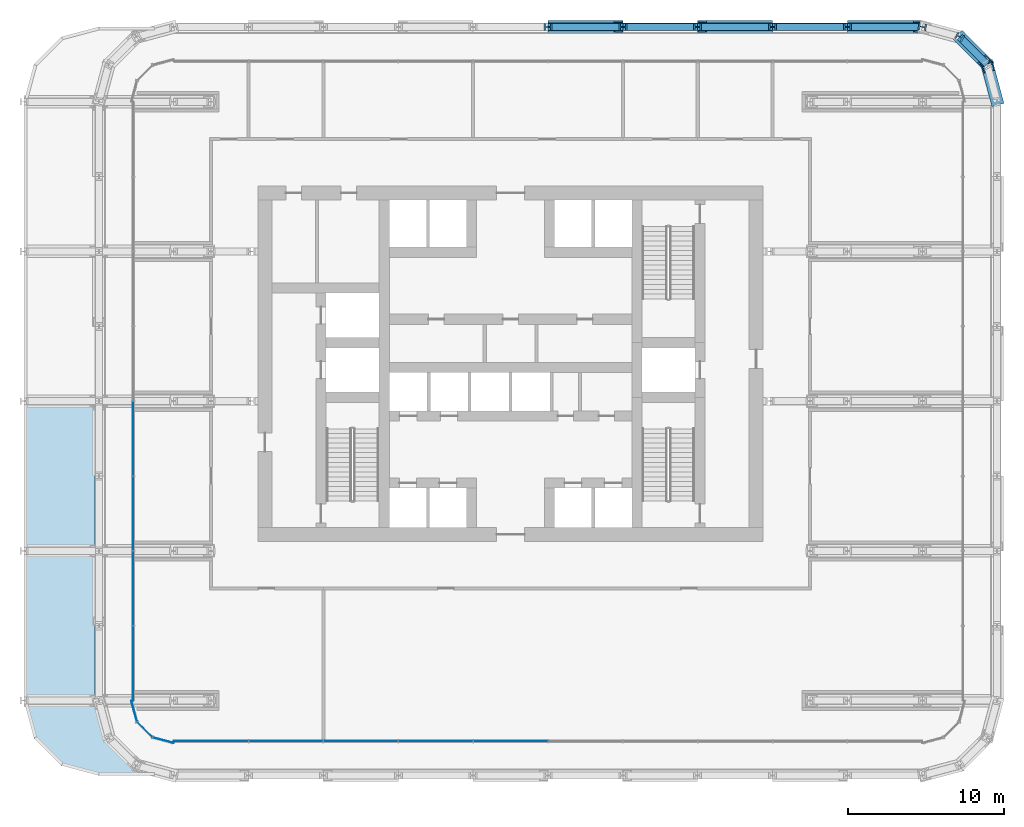
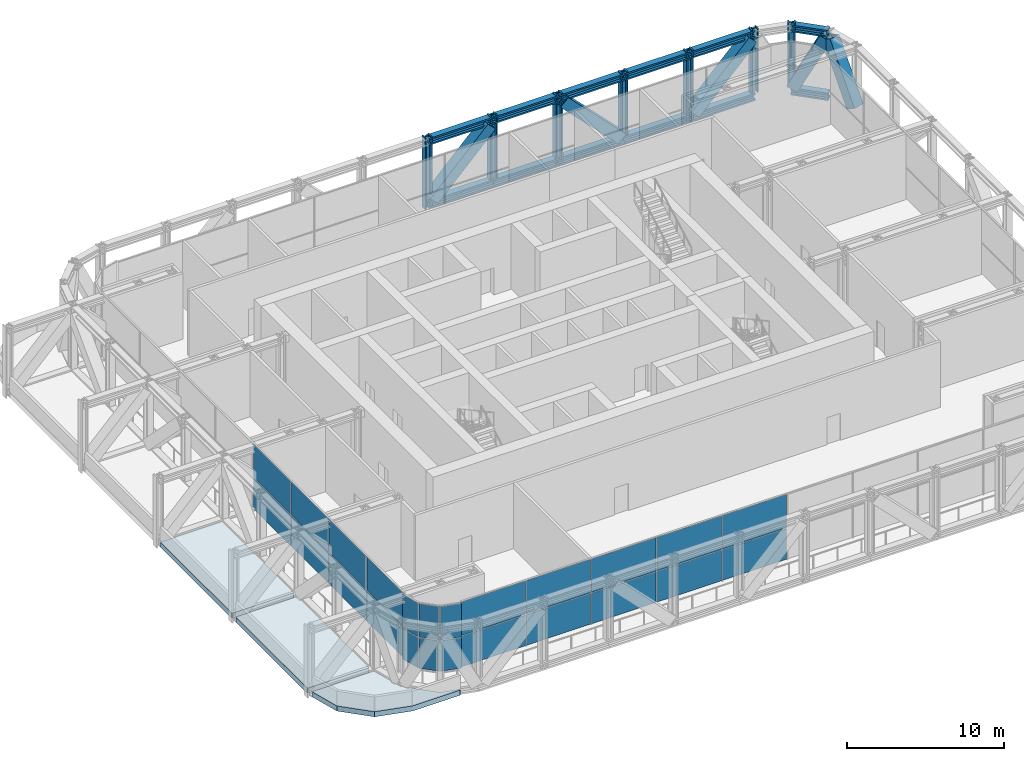
# One storey, part 17 of 30: 24 members, 24 plates, 3 slabs, 3 elements without a shape of their own.
"""IFC4 building model written with IfcOpenShell, lengths in metres."""

from ifc_helpers import new_model, si_unit, direction, frame, origin, origin_2d, place, context, subcontext, project, spatial, polyline, rectangle, hollow_rectangle, i_section, outline, extrude, material, layer, layer_set, material_profile, profile_set, type_object, element, aggregate, save


model = new_model("IFC4")

# Units and contexts
model_context = context("Model", 3, precision=1e-05, world=origin(), true_north=direction((0.0, 1.0)))
body_context = subcontext(model_context, "Body", "Model", "MODEL_VIEW")
ifc_project = project(units=[si_unit("LENGTHUNIT", "METRE"), si_unit("AREAUNIT", "SQUARE_METRE"), si_unit("VOLUMEUNIT", "CUBIC_METRE"), si_unit("PLANEANGLEUNIT", "RADIAN"), si_unit("MASSUNIT", "GRAM", prefix="KILO")], contexts=[model_context])

# Site, building, storey
site_placement = place(None, origin())
site = spatial("IfcSite", under=ifc_project, at=site_placement, CompositionType="ELEMENT")
building_placement = place(site_placement, origin())
building = spatial("IfcBuilding", under=site, at=building_placement, Name="Madar Terraces", CompositionType="ELEMENT")
storey_placement = place(building_placement, frame((0.0, 0.0, 53.89990234375)))
storey = spatial("IfcBuildingStorey", under=building, at=storey_placement, Name="L13", CompositionType="ELEMENT", Elevation=53.89990234375)

# Members
ifc_material_1 = material(Name="Steel ASTM A913 Grade 65", Category="steel")
ifc_material_profile_1 = material_profile(ifc_material_1, i_section(OverallWidth=0.472412109375, OverallDepth=0.5791015625, WebThickness=0.094970703125, FlangeThickness=0.130126953125, at=origin_2d()), Name="W14x808")
ifc_profile_set_1 = profile_set([ifc_material_profile_1], Name="Steel ASTM A913 Grade 65")
member_type_1 = type_object("IfcMemberType", Name="BC2 W14x808", PredefinedType="CHORD", material=ifc_profile_set_1)
member_1_placement = place(storey_placement, frame((61.7568359375, 45.60009765625, -0.13037109375), z_axis=(-0.707106781187, 0.707106781187, 0.0), x_axis=(-0.707106781187, -0.707106781187, 0.0)))
element("IfcMember", 1, at=member_1_placement, inside=storey, type_object=member_type_1, Name="Exoskeleton truss ring bottom chord BC2", PredefinedType="CHORD", context=body_context, shape_type="SweptSolid", body=[
    extrude(i_section(OverallWidth=0.472412109375, OverallDepth=0.5791015625, WebThickness=0.094970703125, FlangeThickness=0.130126953125, at=origin_2d()), origin(), (0.0, 0.0, 1.0), 2.484619140625),
])
for number, where, z_axis, x_axis, name in (
    (2, (57.60009765625, 48.0, -0.13037109375), (-1.0, 0.0, 0.0), (0.0, -1.0, 0.0), "Exoskeleton truss ring bottom chord BC2"),
    (3, (52.800048828125, 48.0, -0.13037109375), (-1.0, 0.0, 0.0), (0.0, -1.0, 0.0), "Exoskeleton truss ring bottom chord BC2"),
    (4, (48.0, 48.0, -0.13037109375), (-1.0, 0.0, 0.0), (0.0, -1.0, 0.0), "Exoskeleton truss ring bottom chord BC2"),
    (5, (43.199951171875, 48.0, -0.13037109375), (-1.0, 0.0, 0.0), (0.0, -1.0, 0.0), "Exoskeleton truss ring bottom chord BC2"),
):
    element("IfcMember", number, at=place(storey_placement, frame(where, z_axis=z_axis, x_axis=x_axis)), inside=storey, type_object=member_type_1, Name=name, PredefinedType="CHORD", context=body_context, shape_type="SweptSolid", body=[
        extrude(i_section(OverallWidth=0.472412109375, OverallDepth=0.5791015625, WebThickness=0.094970703125, FlangeThickness=0.130126953125, at=origin_2d()), origin(), (0.0, 0.0, 1.0), 4.800048828125),
    ])
member_2_placement = place(storey_placement, frame((38.39990234375, 48.0, -0.13037109375), z_axis=(-1.0, 0.0, 0.0), x_axis=(0.0, -1.0, 0.0)))
element("IfcMember", 6, at=member_2_placement, inside=storey, type_object=member_type_1, Name="Exoskeleton truss ring bottom chord BC2", PredefinedType="CHORD", context=body_context, shape_type="SweptSolid", body=[
    extrude(i_section(OverallWidth=0.472412109375, OverallDepth=0.5791015625, WebThickness=0.094970703125, FlangeThickness=0.130126953125, at=origin_2d()), origin(), (0.0, 0.0, 1.0), 4.7998046875),
])
ifc_material_2 = material(Name="Steel ASTM A913 Grade 65", Category="steel")
ifc_material_profile_2 = material_profile(ifc_material_2, i_section(OverallWidth=0.449462890625, OverallDepth=0.548583984375, WebThickness=0.07177734375, FlangeThickness=0.11474609375, at=origin_2d()), Name="W14x665")
ifc_profile_set_2 = profile_set([ifc_material_profile_2], Name="Steel ASTM A913 Grade 65")
member_type_2 = type_object("IfcMemberType", Name="TC2 W14x665", PredefinedType="CHORD", material=ifc_profile_set_2)
member_3_placement = place(storey_placement, frame((61.7568359375, 45.60009765625, 4.755859375), z_axis=(-0.707106781187, 0.707106781187, 0.0), x_axis=(-0.707106781187, -0.707106781187, 0.0)))
element("IfcMember", 7, at=member_3_placement, inside=storey, type_object=member_type_2, Name="Exoskeleton truss ring top chord TC2", PredefinedType="CHORD", context=body_context, shape_type="SweptSolid", body=[
    extrude(i_section(OverallWidth=0.449462890625, OverallDepth=0.548583984375, WebThickness=0.07177734375, FlangeThickness=0.11474609375, at=origin_2d()), origin(), (0.0, 0.0, 1.0), 2.484619140625),
])
for number, where, z_axis, x_axis, name in (
    (8, (57.60009765625, 48.0, 4.755859375), (-1.0, 0.0, 0.0), (0.0, -1.0, 0.0), "Exoskeleton truss ring top chord TC2"),
    (9, (52.800048828125, 48.0, 4.755859375), (-1.0, 0.0, 0.0), (0.0, -1.0, 0.0), "Exoskeleton truss ring top chord TC2"),
    (10, (48.0, 48.0, 4.755859375), (-1.0, 0.0, 0.0), (0.0, -1.0, 0.0), "Exoskeleton truss ring top chord TC2"),
    (11, (43.199951171875, 48.0, 4.755859375), (-1.0, 0.0, 0.0), (0.0, -1.0, 0.0), "Exoskeleton truss ring top chord TC2"),
):
    element("IfcMember", number, at=place(storey_placement, frame(where, z_axis=z_axis, x_axis=x_axis)), inside=storey, type_object=member_type_2, Name=name, PredefinedType="CHORD", context=body_context, shape_type="SweptSolid", body=[
        extrude(i_section(OverallWidth=0.449462890625, OverallDepth=0.548583984375, WebThickness=0.07177734375, FlangeThickness=0.11474609375, at=origin_2d()), origin(), (0.0, 0.0, 1.0), 4.800048828125),
    ])
member_4_placement = place(storey_placement, frame((38.39990234375, 48.0, 4.755859375), z_axis=(-1.0, 0.0, 0.0), x_axis=(0.0, -1.0, 0.0)))
element("IfcMember", 12, at=member_4_placement, inside=storey, type_object=member_type_2, Name="Exoskeleton truss ring top chord TC2", PredefinedType="CHORD", context=body_context, shape_type="SweptSolid", body=[
    extrude(i_section(OverallWidth=0.449462890625, OverallDepth=0.548583984375, WebThickness=0.07177734375, FlangeThickness=0.11474609375, at=origin_2d()), origin(), (0.0, 0.0, 1.0), 4.7998046875),
])
ifc_material_3 = material(Name="Steel ASTM A572 Grade 50", Category="steel")
ifc_material_profile_3 = material_profile(ifc_material_3, hollow_rectangle(XDim=0.800048828125, YDim=0.800048828125, WallThickness=0.070068359375, at=origin_2d()), Name="BOX800x800x70")
ifc_profile_set_3 = profile_set([ifc_material_profile_3], Name="Steel ASTM A572 Grade 50")
member_type_3 = type_object("IfcMemberType", Name="TD2 BOX800x800x70", PredefinedType="BRACE", material=ifc_profile_set_3)
member_5_placement = place(storey_placement, frame((62.36181640625, 43.34228515625, 0.1591796875), z_axis=(-0.117312128115, 0.437831015487, 0.89137077946), x_axis=(-0.965928219336, -0.258810113966, 0.0)))
element("IfcMember", 13, at=member_5_placement, inside=storey, type_object=member_type_3, Name="Exoskeleton truss ring diagonal TD2", PredefinedType="BRACE", context=body_context, shape_type="SweptSolid", body=[
    extrude(hollow_rectangle(XDim=0.800048828125, YDim=0.800048828125, WallThickness=0.070068359375, at=origin_2d()), origin(), (0.0, 0.0, 1.0), 4.84912109375),
])
member_6_placement = place(storey_placement, frame((61.658203125, 45.69873046875, 4.4814453125), z_axis=(-0.320523004836, 0.320472655636, -0.891382230225), x_axis=(-0.707051236881, -0.707162321129, 0.0)))
element("IfcMember", 14, at=member_6_placement, inside=storey, type_object=member_type_3, Name="Exoskeleton truss ring diagonal TD2", PredefinedType="BRACE", context=body_context, shape_type="SweptSolid", body=[
    extrude(hollow_rectangle(XDim=0.800048828125, YDim=0.800048828125, WallThickness=0.070068359375, at=origin_2d()), origin(), (0.0, 0.0, 1.0), 4.848876953125),
])
for number, where, z_axis, x_axis, name in (
    (15, (57.33056640625, 48.0, 4.4814453125), (-0.700792979798, 0.0, -0.713364702986), (0.0, -1.0, 0.0), "Exoskeleton truss ring diagonal TD2"),
    (16, (47.715576171875, 48.0, 0.1591796875), (-0.700792979798, 0.0, 0.713364702986), (0.0, -1.0, 0.0), "Exoskeleton truss ring diagonal TD2"),
    (17, (38.130615234375, 48.0, 4.4814453125), (-0.700792979798, 0.0, -0.713364702986), (0.0, -1.0, 0.0), "Exoskeleton truss ring diagonal TD2"),
):
    element("IfcMember", number, at=place(storey_placement, frame(where, z_axis=z_axis, x_axis=x_axis)), inside=storey, type_object=member_type_3, Name=name, PredefinedType="BRACE", context=body_context, shape_type="SweptSolid", body=[
        extrude(hollow_rectangle(XDim=0.800048828125, YDim=0.800048828125, WallThickness=0.070068359375, at=origin_2d()), origin(), (0.0, 0.0, 1.0), 6.05908203125),
    ])
ifc_material_4 = material(Name="Steel ASTM A913 Grade 65", Category="steel")
ifc_material_profile_4 = material_profile(ifc_material_4, i_section(OverallWidth=0.436767578125, OverallDepth=0.51318359375, WebThickness=0.060546875, FlangeThickness=0.096923828125, at=origin_2d()), Name="W14x550")
ifc_profile_set_4 = profile_set([ifc_material_profile_4], Name="Steel ASTM A913 Grade 65")
member_type_4 = type_object("IfcMemberType", Name="TV2 W14x550", PredefinedType="POST", material=ifc_profile_set_4)
for number, where, z_axis, x_axis, name in (
    (18, (60.0, 47.35693359375, 0.1591796875), (0.0, 0.0, 1.0), (-0.499999984885, -0.866025412511, 0.0), "Exoskeleton truss ring post TV2"),
    (19, (57.60009765625, 48.0, 0.1591796875), (0.0, 0.0, 1.0), (-0.130526174916, -0.991444863652, 0.0), "Exoskeleton truss ring post TV2"),
):
    element("IfcMember", number, at=place(storey_placement, frame(where, z_axis=z_axis, x_axis=x_axis)), inside=storey, type_object=member_type_4, Name=name, PredefinedType="POST", context=body_context, shape_type="SweptSolid", body=[
        extrude(i_section(OverallWidth=0.436767578125, OverallDepth=0.51318359375, WebThickness=0.060546875, FlangeThickness=0.096923828125, at=origin_2d()), origin(), (0.0, 0.0, 1.0), 4.94091796875),
    ])
member_7_placement = place(storey_placement, frame((52.800048828125, 48.0, -0.419921875), z_axis=(0.0, 0.0, 1.0), x_axis=(0.0, -1.0, 0.0)))
element("IfcMember", 20, at=member_7_placement, inside=storey, type_object=member_type_4, Name="Exoskeleton truss ring post TV2", PredefinedType="POST", context=body_context, shape_type="SweptSolid", body=[
    extrude(i_section(OverallWidth=0.436767578125, OverallDepth=0.51318359375, WebThickness=0.060546875, FlangeThickness=0.096923828125, at=origin_2d()), origin(), (0.0, 0.0, 1.0), 5.52001953125),
])
member_8_placement = place(storey_placement, frame((48.0, 48.0, 0.1591796875), z_axis=(0.0, 0.0, 1.0), x_axis=(0.0, -1.0, 0.0)))
element("IfcMember", 21, at=member_8_placement, inside=storey, type_object=member_type_4, Name="Exoskeleton truss ring post TV2", PredefinedType="POST", context=body_context, shape_type="SweptSolid", body=[
    extrude(i_section(OverallWidth=0.436767578125, OverallDepth=0.51318359375, WebThickness=0.060546875, FlangeThickness=0.096923828125, at=origin_2d()), origin(), (0.0, 0.0, 1.0), 4.94091796875),
])
member_9_placement = place(storey_placement, frame((43.199951171875, 48.0, -0.419921875), z_axis=(0.0, 0.0, 1.0), x_axis=(0.0, -1.0, 0.0)))
element("IfcMember", 22, at=member_9_placement, inside=storey, type_object=member_type_4, Name="Exoskeleton truss ring post TV2", PredefinedType="POST", context=body_context, shape_type="SweptSolid", body=[
    extrude(i_section(OverallWidth=0.436767578125, OverallDepth=0.51318359375, WebThickness=0.060546875, FlangeThickness=0.096923828125, at=origin_2d()), origin(), (0.0, 0.0, 1.0), 5.52001953125),
])
member_10_placement = place(storey_placement, frame((38.39990234375, 48.0, 0.1591796875), z_axis=(0.0, 0.0, 1.0), x_axis=(0.0, -1.0, 0.0)))
element("IfcMember", 23, at=member_10_placement, inside=storey, type_object=member_type_4, Name="Exoskeleton truss ring post TV2", PredefinedType="POST", context=body_context, shape_type="SweptSolid", body=[
    extrude(i_section(OverallWidth=0.436767578125, OverallDepth=0.51318359375, WebThickness=0.060546875, FlangeThickness=0.096923828125, at=origin_2d()), origin(), (0.0, 0.0, 1.0), 4.94091796875),
])
member_11_placement = place(storey_placement, frame((33.60009765625, 48.0, -0.419921875), z_axis=(0.0, 0.0, 1.0), x_axis=(0.0, -1.0, 0.0)))
element("IfcMember", 24, at=member_11_placement, inside=storey, type_object=member_type_4, Name="Exoskeleton truss ring post TV2", PredefinedType="POST", context=body_context, shape_type="SweptSolid", body=[
    extrude(i_section(OverallWidth=0.436767578125, OverallDepth=0.51318359375, WebThickness=0.060546875, FlangeThickness=0.096923828125, at=origin_2d()), origin(), (0.0, 0.0, 1.0), 5.52001953125),
])

# Curtain wall, plates
ifc_material_5 = material(Name="Glass, ceramic frit dark grey, with black aluminium frame", Category="aluminium")
ifc_layer_1 = layer(ifc_material_5, 0.199951171875)
ifc_layer_set_1 = layer_set([ifc_layer_1], Name="Facade curtain wall, tall glazing")
curtain_wall_type = type_object("IfcCurtainWallType", Name="Facade curtain wall, tall glazing", PredefinedType="NOTDEFINED", material=ifc_layer_set_1)
curtain_wall_1_placement = place(storey_placement, origin())
curtain_wall_1 = element("IfcCurtainWall", 25, at=curtain_wall_1_placement, inside=storey, type_object=curtain_wall_type, Name="Outer skin curtain wall south bay 1", PredefinedType="NOTDEFINED")
ifc_material_6 = material(Name="Glass, ceramic frit dark grey", Category="glass")
ifc_layer_2 = layer(ifc_material_6, 0.028076171875)
ifc_layer_set_2 = layer_set([ifc_layer_2], Name="Facade glass panel 28")
plate_type = type_object("IfcPlateType", Name="Facade glass panel 28", PredefinedType="CURTAIN_PANEL", material=ifc_layer_set_2)
plate_1_placement = place(storey_placement, frame((11.985107421875, 2.199951171875, 0.0), z_axis=(0.0, 0.0, 1.0), x_axis=(1.0, 0.0, 0.0)))
plate_1 = element("IfcPlate", 26, at=plate_1_placement, type_object=plate_type, Name="Panel 1", PredefinedType="CURTAIN_PANEL", context=body_context, shape_type="SweptSolid", body=[
    extrude(rectangle(XDim=4.77001953125, YDim=0.028076171875, at=origin_2d()), origin(), (0.0, 0.0, 1.0), 2.3701171875),
])
plate_2_placement = place(storey_placement, frame((11.985107421875, 2.199951171875, 2.43017578125), z_axis=(0.0, 0.0, 1.0), x_axis=(1.0, 0.0, 0.0)))
plate_2 = element("IfcPlate", 27, at=plate_2_placement, type_object=plate_type, Name="Panel 2", PredefinedType="CURTAIN_PANEL", context=body_context, shape_type="SweptSolid", body=[
    extrude(rectangle(XDim=4.77001953125, YDim=0.028076171875, at=origin_2d()), origin(), (0.0, 0.0, 1.0), 2.610107421875),
])
plate_3_placement = place(storey_placement, frame((16.800048828125, 2.199951171875, 0.0), z_axis=(0.0, 0.0, 1.0), x_axis=(1.0, 0.0, 0.0)))
plate_3 = element("IfcPlate", 28, at=plate_3_placement, type_object=plate_type, Name="Panel 3", PredefinedType="CURTAIN_PANEL", context=body_context, shape_type="SweptSolid", body=[
    extrude(rectangle(XDim=4.739990234375, YDim=0.028076171875, at=origin_2d()), origin(), (0.0, 0.0, 1.0), 2.3701171875),
])
plate_4_placement = place(storey_placement, frame((16.800048828125, 2.199951171875, 2.43017578125), z_axis=(0.0, 0.0, 1.0), x_axis=(1.0, 0.0, 0.0)))
plate_4 = element("IfcPlate", 29, at=plate_4_placement, type_object=plate_type, Name="Panel 4", PredefinedType="CURTAIN_PANEL", context=body_context, shape_type="SweptSolid", body=[
    extrude(rectangle(XDim=4.739990234375, YDim=0.028076171875, at=origin_2d()), origin(), (0.0, 0.0, 1.0), 2.610107421875),
])
plate_5_placement = place(storey_placement, frame((21.60009765625, 2.199951171875, 0.0), z_axis=(0.0, 0.0, 1.0), x_axis=(1.0, 0.0, 0.0)))
plate_5 = element("IfcPlate", 30, at=plate_5_placement, type_object=plate_type, Name="Panel 5", PredefinedType="CURTAIN_PANEL", context=body_context, shape_type="SweptSolid", body=[
    extrude(rectangle(XDim=4.739990234375, YDim=0.028076171875, at=origin_2d()), origin(), (0.0, 0.0, 1.0), 2.3701171875),
])
plate_6_placement = place(storey_placement, frame((21.60009765625, 2.199951171875, 2.43017578125), z_axis=(0.0, 0.0, 1.0), x_axis=(1.0, 0.0, 0.0)))
plate_6 = element("IfcPlate", 31, at=plate_6_placement, type_object=plate_type, Name="Panel 6", PredefinedType="CURTAIN_PANEL", context=body_context, shape_type="SweptSolid", body=[
    extrude(rectangle(XDim=4.739990234375, YDim=0.028076171875, at=origin_2d()), origin(), (0.0, 0.0, 1.0), 2.610107421875),
])
plate_7_placement = place(storey_placement, frame((26.39990234375, 2.199951171875, 0.0), z_axis=(0.0, 0.0, 1.0), x_axis=(1.0, 0.0, 0.0)))
plate_7 = element("IfcPlate", 32, at=plate_7_placement, type_object=plate_type, Name="Panel 7", PredefinedType="CURTAIN_PANEL", context=body_context, shape_type="SweptSolid", body=[
    extrude(rectangle(XDim=4.739990234375, YDim=0.028076171875, at=origin_2d()), origin(), (0.0, 0.0, 1.0), 2.3701171875),
])
plate_8_placement = place(storey_placement, frame((26.39990234375, 2.199951171875, 2.43017578125), z_axis=(0.0, 0.0, 1.0), x_axis=(1.0, 0.0, 0.0)))
plate_8 = element("IfcPlate", 33, at=plate_8_placement, type_object=plate_type, Name="Panel 8", PredefinedType="CURTAIN_PANEL", context=body_context, shape_type="SweptSolid", body=[
    extrude(rectangle(XDim=4.739990234375, YDim=0.028076171875, at=origin_2d()), origin(), (0.0, 0.0, 1.0), 2.610107421875),
])
plate_9_placement = place(storey_placement, frame((31.199951171875, 2.199951171875, 0.0), z_axis=(0.0, 0.0, 1.0), x_axis=(1.0, 0.0, 0.0)))
plate_9 = element("IfcPlate", 34, at=plate_9_placement, type_object=plate_type, Name="Panel 9", PredefinedType="CURTAIN_PANEL", context=body_context, shape_type="SweptSolid", body=[
    extrude(rectangle(XDim=4.739990234375, YDim=0.028076171875, at=origin_2d()), origin(), (0.0, 0.0, 1.0), 2.3701171875),
])
plate_10_placement = place(storey_placement, frame((31.199951171875, 2.199951171875, 2.43017578125), z_axis=(0.0, 0.0, 1.0), x_axis=(1.0, 0.0, 0.0)))
plate_10 = element("IfcPlate", 35, at=plate_10_placement, type_object=plate_type, Name="Panel 10", PredefinedType="CURTAIN_PANEL", context=body_context, shape_type="SweptSolid", body=[
    extrude(rectangle(XDim=4.739990234375, YDim=0.028076171875, at=origin_2d()), origin(), (0.0, 0.0, 1.0), 2.610107421875),
])
aggregate(curtain_wall_1, [plate_1, plate_2, plate_3, plate_4, plate_5, plate_6, plate_7, plate_8, plate_9, plate_10])

curtain_wall_2_placement = place(storey_placement, origin())
curtain_wall_2 = element("IfcCurtainWall", 36, at=curtain_wall_2_placement, inside=storey, type_object=curtain_wall_type, Name="Outer skin curtain wall west bay 1", PredefinedType="NOTDEFINED")
plate_11_placement = place(storey_placement, frame((7.0, 21.60009765625, 0.0), z_axis=(0.0, 0.0, 1.0), x_axis=(0.0, -1.0, 0.0)))
plate_11 = element("IfcPlate", 37, at=plate_11_placement, type_object=plate_type, Name="Panel 9", PredefinedType="CURTAIN_PANEL", context=body_context, shape_type="SweptSolid", body=[
    extrude(rectangle(XDim=4.739990234375, YDim=0.028076171875, at=origin_2d()), origin(), (0.0, 0.0, 1.0), 2.3701171875),
])
plate_12_placement = place(storey_placement, frame((7.0, 21.60009765625, 2.43017578125), z_axis=(0.0, 0.0, 1.0), x_axis=(0.0, -1.0, 0.0)))
plate_12 = element("IfcPlate", 38, at=plate_12_placement, type_object=plate_type, Name="Panel 10", PredefinedType="CURTAIN_PANEL", context=body_context, shape_type="SweptSolid", body=[
    extrude(rectangle(XDim=4.739990234375, YDim=0.028076171875, at=origin_2d()), origin(), (0.0, 0.0, 1.0), 2.610107421875),
])
plate_13_placement = place(storey_placement, frame((7.0, 16.800048828125, 0.0), z_axis=(0.0, 0.0, 1.0), x_axis=(0.0, -1.0, 0.0)))
plate_13 = element("IfcPlate", 39, at=plate_13_placement, type_object=plate_type, Name="Panel 11", PredefinedType="CURTAIN_PANEL", context=body_context, shape_type="SweptSolid", body=[
    extrude(rectangle(XDim=4.739990234375, YDim=0.028076171875, at=origin_2d()), origin(), (0.0, 0.0, 1.0), 2.3701171875),
])
plate_14_placement = place(storey_placement, frame((7.0, 16.800048828125, 2.43017578125), z_axis=(0.0, 0.0, 1.0), x_axis=(0.0, -1.0, 0.0)))
plate_14 = element("IfcPlate", 40, at=plate_14_placement, type_object=plate_type, Name="Panel 12", PredefinedType="CURTAIN_PANEL", context=body_context, shape_type="SweptSolid", body=[
    extrude(rectangle(XDim=4.739990234375, YDim=0.028076171875, at=origin_2d()), origin(), (0.0, 0.0, 1.0), 2.610107421875),
])
plate_15_placement = place(storey_placement, frame((7.0, 12.0, 0.0), z_axis=(0.0, 0.0, 1.0), x_axis=(0.0, -1.0, 0.0)))
plate_15 = element("IfcPlate", 41, at=plate_15_placement, type_object=plate_type, Name="Panel 13", PredefinedType="CURTAIN_PANEL", context=body_context, shape_type="SweptSolid", body=[
    extrude(rectangle(XDim=4.739990234375, YDim=0.028076171875, at=origin_2d()), origin(), (0.0, 0.0, 1.0), 2.3701171875),
])
plate_16_placement = place(storey_placement, frame((7.0, 12.0, 2.43017578125), z_axis=(0.0, 0.0, 1.0), x_axis=(0.0, -1.0, 0.0)))
plate_16 = element("IfcPlate", 42, at=plate_16_placement, type_object=plate_type, Name="Panel 14", PredefinedType="CURTAIN_PANEL", context=body_context, shape_type="SweptSolid", body=[
    extrude(rectangle(XDim=4.739990234375, YDim=0.028076171875, at=origin_2d()), origin(), (0.0, 0.0, 1.0), 2.610107421875),
])
plate_17_placement = place(storey_placement, frame((7.0, 7.18505859375, 0.0), z_axis=(0.0, 0.0, 1.0), x_axis=(0.0, -1.0, 0.0)))
plate_17 = element("IfcPlate", 43, at=plate_17_placement, type_object=plate_type, Name="Panel 15", PredefinedType="CURTAIN_PANEL", context=body_context, shape_type="SweptSolid", body=[
    extrude(rectangle(XDim=4.77001953125, YDim=0.028076171875, at=origin_2d()), origin(), (0.0, 0.0, 1.0), 2.3701171875),
])
plate_18_placement = place(storey_placement, frame((7.0, 7.18505859375, 2.43017578125), z_axis=(0.0, 0.0, 1.0), x_axis=(0.0, -1.0, 0.0)))
plate_18 = element("IfcPlate", 44, at=plate_18_placement, type_object=plate_type, Name="Panel 16", PredefinedType="CURTAIN_PANEL", context=body_context, shape_type="SweptSolid", body=[
    extrude(rectangle(XDim=4.77001953125, YDim=0.028076171875, at=origin_2d()), origin(), (0.0, 0.0, 1.0), 2.610107421875),
])
aggregate(curtain_wall_2, [plate_11, plate_12, plate_13, plate_14, plate_15, plate_16, plate_17, plate_18])

curtain_wall_3_placement = place(storey_placement, origin())
curtain_wall_3 = element("IfcCurtainWall", 45, at=curtain_wall_3_placement, inside=storey, type_object=curtain_wall_type, Name="Outer skin curtain wall south-west corner", PredefinedType="NOTDEFINED")
plate_19_placement = place(storey_placement, frame((7.058349609375, 4.134521484375, 0.0), z_axis=(0.0, 0.0, 1.0), x_axis=(0.258819110244, -0.965925808834, 0.0)))
plate_19 = element("IfcPlate", 46, at=plate_19_placement, type_object=plate_type, Name="Panel 1", PredefinedType="CURTAIN_PANEL", context=body_context, shape_type="SweptSolid", body=[
    extrude(rectangle(XDim=1.3779296875, YDim=0.028076171875, at=origin_2d()), origin(), (0.0, 0.0, 1.0), 2.3701171875),
])
plate_20_placement = place(storey_placement, frame((7.058349609375, 4.134521484375, 2.43017578125), z_axis=(0.0, 0.0, 1.0), x_axis=(0.258819110244, -0.965925808834, 0.0)))
plate_20 = element("IfcPlate", 47, at=plate_20_placement, type_object=plate_type, Name="Panel 2", PredefinedType="CURTAIN_PANEL", context=body_context, shape_type="SweptSolid", body=[
    extrude(rectangle(XDim=1.3779296875, YDim=0.028076171875, at=origin_2d()), origin(), (0.0, 0.0, 1.0), 2.610107421875),
])
plate_21_placement = place(storey_placement, frame((7.7421875, 2.942138671875, 0.0), z_axis=(0.0, 0.0, 1.0), x_axis=(0.707106781187, -0.707106781187, 0.0)))
plate_21 = element("IfcPlate", 48, at=plate_21_placement, type_object=plate_type, Name="Panel 3", PredefinedType="CURTAIN_PANEL", context=body_context, shape_type="SweptSolid", body=[
    extrude(rectangle(XDim=1.347900390625, YDim=0.028076171875, at=origin_2d()), origin(), (0.0, 0.0, 1.0), 2.3701171875),
])
plate_22_placement = place(storey_placement, frame((7.7421875, 2.942138671875, 2.43017578125), z_axis=(0.0, 0.0, 1.0), x_axis=(0.707106781187, -0.707106781187, 0.0)))
plate_22 = element("IfcPlate", 49, at=plate_22_placement, type_object=plate_type, Name="Panel 4", PredefinedType="CURTAIN_PANEL", context=body_context, shape_type="SweptSolid", body=[
    extrude(rectangle(XDim=1.347900390625, YDim=0.028076171875, at=origin_2d()), origin(), (0.0, 0.0, 1.0), 2.610107421875),
])
plate_23_placement = place(storey_placement, frame((8.9345703125, 2.25830078125, 0.0), z_axis=(0.0, 0.0, 1.0), x_axis=(0.965925808834, -0.258819110244, 0.0)))
plate_23 = element("IfcPlate", 50, at=plate_23_placement, type_object=plate_type, Name="Panel 5", PredefinedType="CURTAIN_PANEL", context=body_context, shape_type="SweptSolid", body=[
    extrude(rectangle(XDim=1.3779296875, YDim=0.028076171875, at=origin_2d()), origin(), (0.0, 0.0, 1.0), 2.3701171875),
])
plate_24_placement = place(storey_placement, frame((8.9345703125, 2.25830078125, 2.43017578125), z_axis=(0.0, 0.0, 1.0), x_axis=(0.965925808834, -0.258819110244, 0.0)))
plate_24 = element("IfcPlate", 51, at=plate_24_placement, type_object=plate_type, Name="Panel 6", PredefinedType="CURTAIN_PANEL", context=body_context, shape_type="SweptSolid", body=[
    extrude(rectangle(XDim=1.3779296875, YDim=0.028076171875, at=origin_2d()), origin(), (0.0, 0.0, 1.0), 2.610107421875),
])
aggregate(curtain_wall_3, [plate_19, plate_20, plate_21, plate_22, plate_23, plate_24])

# Slabs
ifc_material_7 = material(Name="Concrete C50/60", Category="concrete")
ifc_layer_3 = layer(ifc_material_7, 0.39990234375)
ifc_layer_set_3 = layer_set([ifc_layer_3], Name="TS1 PT terrace slab 400")
slab_type = type_object("IfcSlabType", Name="TS1 PT terrace slab 400", PredefinedType="FLOOR", material=ifc_layer_set_3)
slab_1_placement = place(storey_placement, frame((0.0, 0.0, -0.39990234375)))
element("IfcSlab", 52, at=slab_1_placement, inside=storey, type_object=slab_type, Name="Terrace roof slab L13 (1)", PredefinedType="FLOOR", context=body_context, shape_type="SweptSolid", body=[
    extrude(outline(polyline([(0.0009765625, 14.12353515625), (0.000244140625, 14.11865234375), (0.0, 14.11376953125), (0.0, 5.086181640625), (0.000244140625, 5.081298828125), (0.0009765625, 5.076416015625), (0.002197265625, 5.07177734375), (0.00390625, 5.067138671875), (0.005859375, 5.062744140625), (0.008544921875, 5.058349609375), (0.01123046875, 5.054443359375), (0.0146484375, 5.05078125), (0.018310546875, 5.047607421875), (0.022216796875, 5.044677734375), (0.0263671875, 5.042236328125), (0.03076171875, 5.0400390625), (0.035400390625, 5.038330078125), (0.040283203125, 5.037109375), (0.045166015625, 5.036376953125), (0.050048828125, 5.0361328125), (4.513671875, 5.0361328125), (4.518798828125, 5.036376953125), (4.5234375, 5.037109375), (4.5283203125, 5.038330078125), (4.532958984375, 5.0400390625), (4.537353515625, 5.042236328125), (4.54150390625, 5.044677734375), (4.54541015625, 5.047607421875), (4.549072265625, 5.05078125), (4.552490234375, 5.054443359375), (4.555419921875, 5.058349609375), (4.557861328125, 5.062744140625), (4.56005859375, 5.067138671875), (4.5615234375, 5.07177734375), (4.562744140625, 5.076416015625), (4.5634765625, 5.081298828125), (4.563720703125, 5.086181640625), (4.563720703125, 14.11376953125), (4.5634765625, 14.11865234375), (4.562744140625, 14.12353515625), (4.5615234375, 14.128173828125), (4.56005859375, 14.1328125), (4.557861328125, 14.137451171875), (4.555419921875, 14.1416015625), (4.552490234375, 14.1455078125), (4.549072265625, 14.149169921875), (4.54541015625, 14.15234375), (4.54150390625, 14.1552734375), (4.537353515625, 14.157958984375), (4.532958984375, 14.159912109375), (4.5283203125, 14.16162109375), (4.5234375, 14.162841796875), (4.518798828125, 14.16357421875), (4.513671875, 14.163818359375), (0.050048828125, 14.163818359375), (0.045166015625, 14.16357421875), (0.040283203125, 14.162841796875), (0.035400390625, 14.16162109375), (0.03076171875, 14.159912109375), (0.0263671875, 14.157958984375), (0.022216796875, 14.1552734375), (0.018310546875, 14.15234375), (0.0146484375, 14.149169921875), (0.01123046875, 14.1455078125), (0.008544921875, 14.1416015625), (0.005859375, 14.137451171875), (0.00390625, 14.1328125), (0.002197265625, 14.128173828125), (0.0009765625, 14.12353515625)])), origin(), (0.0, 0.0, 1.0), 0.39990234375),
])
slab_2_placement = place(storey_placement, frame((0.0, 0.0, -0.39990234375)))
element("IfcSlab", 53, at=slab_2_placement, inside=storey, type_object=slab_type, Name="Terrace roof slab L13 (2)", PredefinedType="FLOOR", context=body_context, shape_type="SweptSolid", body=[
    extrude(outline(polyline([(0.0009765625, 23.7236328125), (0.000244140625, 23.71875), (0.0, 23.7138671875), (0.0, 14.686279296875), (0.000244140625, 14.681396484375), (0.0009765625, 14.676513671875), (0.002197265625, 14.671630859375), (0.00390625, 14.6669921875), (0.005859375, 14.66259765625), (0.008544921875, 14.658447265625), (0.01123046875, 14.654541015625), (0.0146484375, 14.65087890625), (0.018310546875, 14.6474609375), (0.022216796875, 14.64453125), (0.0263671875, 14.64208984375), (0.03076171875, 14.64013671875), (0.035400390625, 14.638427734375), (0.040283203125, 14.63720703125), (0.045166015625, 14.636474609375), (0.050048828125, 14.63623046875), (4.513671875, 14.63623046875), (4.518798828125, 14.636474609375), (4.5234375, 14.63720703125), (4.5283203125, 14.638427734375), (4.532958984375, 14.64013671875), (4.537353515625, 14.64208984375), (4.54150390625, 14.64453125), (4.54541015625, 14.6474609375), (4.549072265625, 14.65087890625), (4.552490234375, 14.654541015625), (4.555419921875, 14.658447265625), (4.557861328125, 14.66259765625), (4.56005859375, 14.6669921875), (4.5615234375, 14.671630859375), (4.562744140625, 14.676513671875), (4.5634765625, 14.681396484375), (4.563720703125, 14.686279296875), (4.563720703125, 23.7138671875), (4.5634765625, 23.71875), (4.562744140625, 23.7236328125), (4.5615234375, 23.728271484375), (4.56005859375, 23.73291015625), (4.557861328125, 23.7373046875), (4.555419921875, 23.741455078125), (4.552490234375, 23.74560546875), (4.549072265625, 23.7490234375), (4.54541015625, 23.75244140625), (4.54150390625, 23.75537109375), (4.537353515625, 23.7578125), (4.532958984375, 23.760009765625), (4.5283203125, 23.76171875), (4.5234375, 23.762939453125), (4.518798828125, 23.763427734375), (4.513671875, 23.763671875), (0.050048828125, 23.763671875), (0.045166015625, 23.763427734375), (0.040283203125, 23.762939453125), (0.035400390625, 23.76171875), (0.03076171875, 23.760009765625), (0.0263671875, 23.7578125), (0.022216796875, 23.75537109375), (0.018310546875, 23.75244140625), (0.0146484375, 23.7490234375), (0.01123046875, 23.74560546875), (0.008544921875, 23.741455078125), (0.005859375, 23.7373046875), (0.00390625, 23.73291015625), (0.002197265625, 23.728271484375), (0.0009765625, 23.7236328125)])), origin(), (0.0, 0.0, 1.0), 0.39990234375),
])
slab_3_placement = place(storey_placement, frame((0.0, 0.0, -0.39990234375)))
element("IfcSlab", 54, at=slab_3_placement, inside=storey, type_object=slab_type, Name="Terrace roof slab L13 (5)", PredefinedType="FLOOR", context=body_context, shape_type="SweptSolid", body=[
    extrude(outline(polyline([(2.407958984375, 0.64111328125), (2.412841796875, 0.6396484375), (4.793701171875, 0.001708984375), (4.7978515625, 0.000732421875), (4.80224609375, 0.000244140625), (4.806640625, 0.0), (8.3076171875, 0.0), (8.3125, 0.000244140625), (8.3173828125, 0.0009765625), (8.322265625, 0.002197265625), (8.326904296875, 0.00390625), (8.331298828125, 0.006103515625), (8.335693359375, 0.008544921875), (8.339599609375, 0.01171875), (8.34326171875, 0.014892578125), (8.346435546875, 0.0185546875), (8.349365234375, 0.022705078125), (8.351806640625, 0.027099609375), (8.35400390625, 0.031494140625), (8.35546875, 0.0361328125), (8.356689453125, 0.041015625), (8.357421875, 0.0458984375), (8.357421875, 0.05078125), (8.357177734375, 0.055908203125), (8.3564453125, 0.060791015625), (8.35498046875, 0.0654296875), (8.353271484375, 0.070068359375), (8.35107421875, 0.07470703125), (8.348388671875, 0.078857421875), (8.345458984375, 0.082763671875), (8.341796875, 0.086181640625), (8.338134765625, 0.089599609375), (8.333984375, 0.09228515625), (8.329833984375, 0.0947265625), (8.3251953125, 0.0966796875), (8.320556640625, 0.098388671875), (7.0791015625, 0.430908203125), (7.077880859375, 0.431396484375), (7.076904296875, 0.43212890625), (5.232177734375, 2.27685546875), (5.2314453125, 2.27783203125), (5.23095703125, 2.279052734375), (4.628662109375, 4.526611328125), (4.627197265625, 4.531494140625), (4.625, 4.5361328125), (4.62255859375, 4.54052734375), (4.61962890625, 4.544677734375), (4.616455078125, 4.54833984375), (4.61279296875, 4.5517578125), (4.60888671875, 4.554931640625), (4.6044921875, 4.5576171875), (4.599853515625, 4.559814453125), (4.59521484375, 4.5615234375), (4.59033203125, 4.562744140625), (4.58544921875, 4.5634765625), (4.580322265625, 4.563720703125), (0.12841796875, 4.563720703125), (0.12353515625, 4.5634765625), (0.118896484375, 4.562744140625), (0.1142578125, 4.561767578125), (0.109619140625, 4.56005859375), (0.105224609375, 4.55810546875), (0.10107421875, 4.5556640625), (0.09716796875, 4.552734375), (0.093505859375, 4.549560546875), (0.09033203125, 4.546142578125), (0.08740234375, 4.542236328125), (0.084716796875, 4.5380859375), (0.082763671875, 4.533935546875), (0.0810546875, 4.529296875), (0.07958984375, 4.524658203125), (0.078857421875, 4.52001953125), (0.078369140625, 4.51513671875), (0.07861328125, 4.51025390625), (0.0791015625, 4.505615234375), (0.080078125, 4.500732421875), (0.6396484375, 2.412841796875), (0.64111328125, 2.407958984375), (0.643310546875, 2.403076171875), (0.64599609375, 2.398681640625), (0.649169921875, 2.39453125), (0.652587890625, 2.390625), (2.390625, 0.652587890625), (2.39453125, 0.649169921875), (2.398681640625, 0.64599609375), (2.403076171875, 0.643310546875), (2.407958984375, 0.64111328125)])), origin(), (0.0, 0.0, 1.0), 0.39990234375),
])

save(model, "model.ifc")
